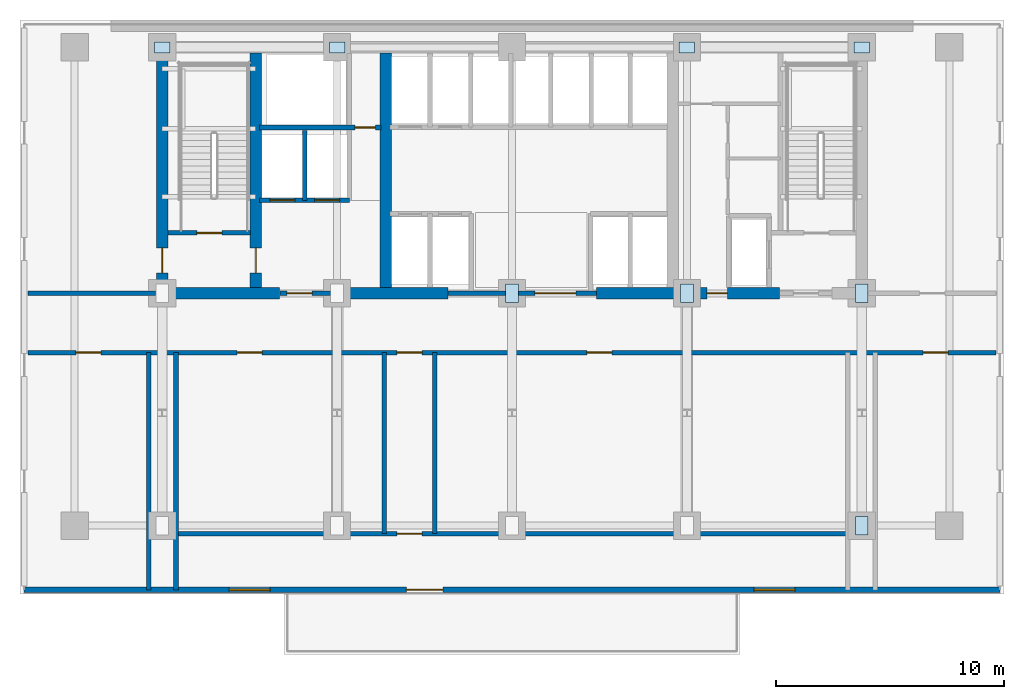
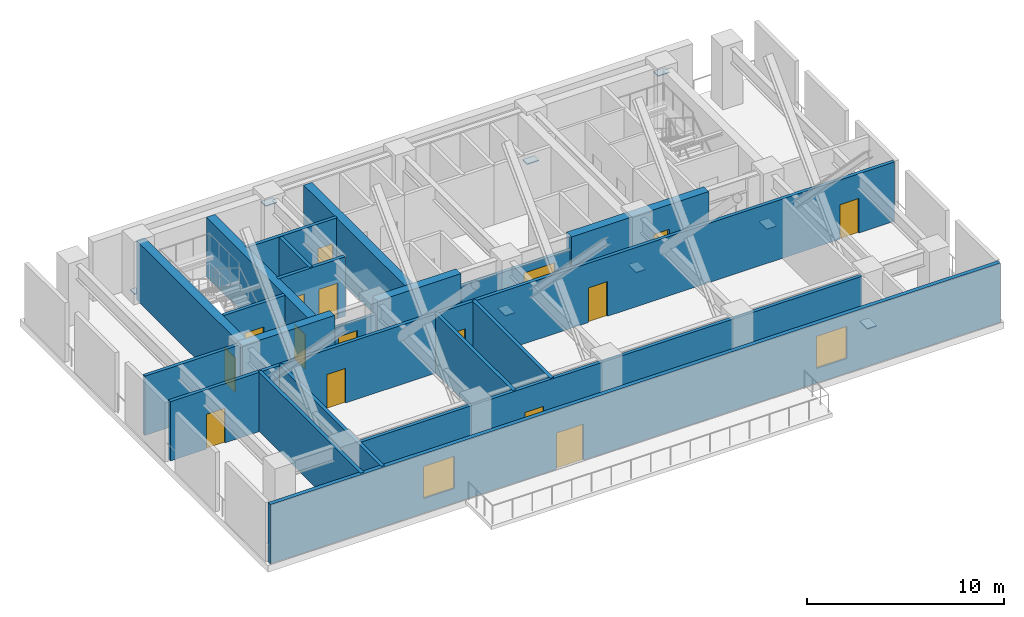
# One storey, part 2 of 8: 20 walls, 16 doors, 8 plates, 2 windows, 18 openings.
"""IFC4 building model written with IfcOpenShell, lengths in metres."""

from ifc_helpers import new_model, si_unit, direction, frame, frame_2d, origin, origin_2d, place, context, subcontext, project, spatial, rectangle, extrude, material, layer, layer_set, type_object, element, fill, save


model = new_model("IFC4")

# Units and contexts
model_context = context("Model", 3, precision=1e-05, world=origin(), true_north=direction((0.0, 1.0)))
body_context = subcontext(model_context, "Body", "Model", "MODEL_VIEW")
ifc_project = project(units=[si_unit("LENGTHUNIT", "METRE"), si_unit("AREAUNIT", "SQUARE_METRE"), si_unit("VOLUMEUNIT", "CUBIC_METRE"), si_unit("PLANEANGLEUNIT", "RADIAN"), si_unit("MASSUNIT", "GRAM", prefix="KILO")], contexts=[model_context])

# Site, building, storey
site_placement = place(None, origin())
site = spatial("IfcSite", under=ifc_project, at=site_placement, CompositionType="ELEMENT")
building_placement = place(site_placement, origin())
building = spatial("IfcBuilding", under=site, at=building_placement, Name="Yelkora Congress Tower", CompositionType="ELEMENT")
storey_placement = place(building_placement, frame((0.0, 0.0, 78.0)))
storey = spatial("IfcBuildingStorey", under=building, at=storey_placement, Name="L20", CompositionType="ELEMENT", Elevation=78.0)

# Plates
ifc_material_1 = material(Name="Steel S355J2", Category="steel")
ifc_layer_1 = layer(ifc_material_1, 0.050048828125)
ifc_layer_set_1 = layer_set([ifc_layer_1], Name="Steel S355J2")
plate_type_1 = type_object("IfcPlateType", Name="PLT-GUSSET-680x480", PredefinedType="USERDEFINED", material=ifc_layer_set_1)
for number, where, z_axis, x_axis, name in (
    (1, (23.0400390625, 46.199951171875, 0.3251953125), (0.0, 0.0, 1.0), (1.0, 0.0, 0.0), "N1 Core Strut Foot Gusset W"),
    (2, (30.719970703125, 46.199951171875, 3.10498046875), (0.0, 0.0, 1.0), (1.0, 0.0, 0.0), "N1 Core Strut Top Gusset W"),
    (3, (46.080078125, 46.199951171875, 0.3251953125), (0.0, 0.0, 1.0), (1.0, 0.0, 0.0), "N1 Core Strut Foot Gusset E"),
    (4, (53.760009765625, 46.199951171875, 3.10498046875), (0.0, 0.0, 1.0), (1.0, 0.0, 0.0), "N1 Core Strut Top Gusset E"),
):
    element("IfcPlate", number, at=place(storey_placement, frame(where, z_axis=z_axis, x_axis=x_axis)), inside=storey, type_object=plate_type_1, Name=name, ObjectType="GUSSET_PLATE", PredefinedType="USERDEFINED", context=body_context, shape_type="SweptSolid", body=[
        extrude(rectangle(XDim=0.679931640625, YDim=0.47998046875, at=origin_2d()), origin(), (0.0, 0.0, 1.0), 0.050048828125),
    ])
ifc_material_2 = material(Name="Steel S460M", Category="steel")
ifc_layer_2 = layer(ifc_material_2, 0.06005859375)
ifc_layer_set_2 = layer_set([ifc_layer_2], Name="Steel S460M")
plate_type_2 = type_object("IfcPlateType", Name="PLT-GUSSET-800x560", PredefinedType="USERDEFINED", material=ifc_layer_set_2)
for number, where, z_axis, x_axis, name in (
    (5, (38.39990234375, 35.39990234375, 0.219970703125), (0.0, 0.0, 1.0), (0.0, 1.0, 0.0), "N1 Outrigger End Gusset Plate 3CB"),
    (6, (46.080078125, 35.39990234375, 0.219970703125), (0.0, 0.0, 1.0), (0.0, 1.0, 0.0), "N1 Outrigger End Gusset Plate 4CB"),
    (7, (53.760009765625, 35.39990234375, 0.219970703125), (0.0, 0.0, 1.0), (0.0, 1.0, 0.0), "N1 Outrigger End Gusset Plate 5CB"),
    (8, (53.760009765625, 25.199951171875, 0.219970703125), (0.0, 0.0, 1.0), (0.0, 1.0, 0.0), "N1 Outrigger End Gusset Plate 5SB"),
):
    element("IfcPlate", number, at=place(storey_placement, frame(where, z_axis=z_axis, x_axis=x_axis)), inside=storey, type_object=plate_type_2, Name=name, ObjectType="GUSSET_PLATE", PredefinedType="USERDEFINED", context=body_context, shape_type="SweptSolid", body=[
        extrude(rectangle(XDim=0.800048828125, YDim=0.56005859375, at=origin_2d()), origin(), (0.0, 0.0, 1.0), 0.06005859375),
    ])

# Walls
ifc_material_3 = material(Name="Concrete C60/75", Category="concrete")
ifc_layer_3 = layer(ifc_material_3, 0.5)
ifc_layer_set_3 = layer_set([ifc_layer_3], Name="Concrete C60/75")
wall_type_1 = type_object("IfcWallType", Name="WALL-CORE-INT-500", PredefinedType="SHEAR", material=ifc_layer_set_3)
wall_1_placement = place(storey_placement, frame((22.7900390625, 35.39990234375, 0.0), z_axis=(0.0, 0.0, 1.0), x_axis=(1.0, 0.0, 0.0)))
element("IfcWall", 9, at=wall_1_placement, inside=storey, type_object=wall_type_1, Name="L20 Rear Core South-West Shear Wall", PredefinedType="SHEAR", context=body_context, shape_type="SweptSolid", body=[
    extrude(rectangle(XDim=5.409912109375, YDim=0.5, at=frame_2d((2.705078125, 0.0))), origin(), (0.0, 0.0, 1.0), 3.679931640625),
])
wall_2_placement = place(storey_placement, frame((30.719970703125, 35.39990234375, 0.0), z_axis=(0.0, 0.0, 1.0), x_axis=(1.0, 0.0, 0.0)))
element("IfcWall", 10, at=wall_2_placement, inside=storey, type_object=wall_type_1, Name="L20 Rear Core South-Center Shear Pier", PredefinedType="SHEAR", context=body_context, shape_type="SweptSolid", body=[
    extrude(rectangle(XDim=4.880126953125, YDim=0.5, at=frame_2d((2.43994140625, 0.0))), origin(), (0.0, 0.0, 1.0), 3.679931640625),
])

# Wall, opening, door
wall_3_placement = place(storey_placement, frame((42.10009765625, 35.39990234375, 0.0), z_axis=(0.0, 0.0, 1.0), x_axis=(1.0, 0.0, 0.0)))
wall_3 = element("IfcWall", 11, at=wall_3_placement, inside=storey, type_object=wall_type_1, Name="L20 Rear Core South-East Shear Wall A", PredefinedType="SHEAR", context=body_context, shape_type="SweptSolid", body=[
    extrude(rectangle(XDim=8.0498046875, YDim=0.5, at=frame_2d((4.02490234375, 0.0))), origin(), (0.0, 0.0, 1.0), 3.679931640625),
])
opening_1_placement = place(wall_3_placement, frame((4.85009765625, 0.0, 0.0)))
opening_1 = element("IfcOpeningElement", 12, at=opening_1_placement, cuts=wall_3, Name="Opening DR-090F6", PredefinedType="OPENING", context=body_context, shape_type="SweptSolid", body=[
    extrude(rectangle(XDim=0.89990234375, YDim=2.14990234375, at=frame_2d((0.449951171875, 1.074951171875))), frame((0.0, 0.260009765625, 0.0), z_axis=(0.0, -1.0, 0.0), x_axis=(1.0, 0.0, 0.0)), (0.0, 0.0, 1.0), 0.52001953125),
])
ifc_material_4 = material(Name="Painted steel riser fire door leaf", Category="steel")
door_type_1 = type_object("IfcDoorType", Name="DOOR-FD60-900", OperationType="NOTDEFINED", PredefinedType="DOOR", material=ifc_material_4)
door_1_placement = place(opening_1_placement, origin())
door_1 = element("IfcDoor", 13, at=door_1_placement, inside=storey, type_object=door_type_1, Name="L20 Core Washroom Lobby Door", OperationType="SINGLE_SWING_RIGHT", OverallHeight=2.14990234375, OverallWidth=0.89990234375, PredefinedType="DOOR", context=body_context, shape_type="SweptSolid", body=[
    extrude(rectangle(XDim=0.89990234375, YDim=2.14990234375, at=frame_2d((0.449951171875, 1.074951171875))), frame((0.0, 0.02490234375, 0.0), z_axis=(0.0, -1.0, 0.0), x_axis=(1.0, 0.0, 0.0)), (0.0, 0.0, 1.0), 0.050048828125),
])
fill(opening_1, door_1)

wall_4_placement = place(storey_placement, frame((23.0400390625, 35.64990234375, 0.0), z_axis=(0.0, 0.0, 1.0), x_axis=(0.0, 1.0, 0.0)))
wall_4 = element("IfcWall", 14, at=wall_4_placement, inside=storey, type_object=wall_type_1, Name="L20 Rear Core Cross Shear Wall W", PredefinedType="SHEAR", context=body_context, shape_type="SweptSolid", body=[
    extrude(rectangle(XDim=10.300048828125, YDim=0.5, at=frame_2d((5.14990234375, 0.0))), origin(), (0.0, 0.0, 1.0), 3.679931640625),
])
opening_2_placement = place(wall_4_placement, frame((0.64990234375, 0.0, 0.0)))
opening_2 = element("IfcOpeningElement", 15, at=opening_2_placement, cuts=wall_4, Name="Opening DR-110F9", PredefinedType="OPENING", context=body_context, shape_type="SweptSolid", body=[
    extrude(rectangle(XDim=1.10009765625, YDim=2.14990234375, at=frame_2d((0.550048828125, 1.074951171875))), frame((0.0, 0.260009765625, 0.0), z_axis=(0.0, -1.0, 0.0), x_axis=(1.0, 0.0, 0.0)), (0.0, 0.0, 1.0), 0.52001953125),
])
ifc_material_5 = material(Name="Galvanised steel fire door leaf", Category="steel")
door_type_2 = type_object("IfcDoorType", Name="DOOR-FD90-1100", OperationType="NOTDEFINED", PredefinedType="DOOR", material=ifc_material_5)
door_2_placement = place(opening_2_placement, origin())
door_2 = element("IfcDoor", 16, at=door_2_placement, inside=storey, type_object=door_type_2, Name="L20 Area of Refuge Direct Stair-Lobby Door", OperationType="SINGLE_SWING_LEFT", OverallHeight=2.14990234375, OverallWidth=1.10009765625, PredefinedType="DOOR", context=body_context, shape_type="SweptSolid", body=[
    extrude(rectangle(XDim=1.10009765625, YDim=2.14990234375, at=frame_2d((0.550048828125, 1.074951171875))), frame((0.0, 0.02490234375, 0.0), z_axis=(0.0, -1.0, 0.0), x_axis=(1.0, 0.0, 0.0)), (0.0, 0.0, 1.0), 0.050048828125),
])
fill(opening_2, door_2)

wall_5_placement = place(storey_placement, frame((27.14990234375, 35.64990234375, 0.0), z_axis=(0.0, 0.0, 1.0), x_axis=(0.0, 1.0, 0.0)))
wall_5 = element("IfcWall", 17, at=wall_5_placement, inside=storey, type_object=wall_type_1, Name="L20 Rear Core Cross Shear Wall C1", PredefinedType="SHEAR", context=body_context, shape_type="SweptSolid", body=[
    extrude(rectangle(XDim=10.300048828125, YDim=0.5, at=frame_2d((5.14990234375, 0.0))), origin(), (0.0, 0.0, 1.0), 3.679931640625),
])
opening_3_placement = place(wall_5_placement, frame((0.64990234375, 0.0, 0.0)))
opening_3 = element("IfcOpeningElement", 18, at=opening_3_placement, cuts=wall_5, Name="Opening DR-110F9", PredefinedType="OPENING", context=body_context, shape_type="SweptSolid", body=[
    extrude(rectangle(XDim=1.10009765625, YDim=2.14990234375, at=frame_2d((0.550048828125, 1.074951171875))), frame((0.0, 0.260009765625, 0.0), z_axis=(0.0, -1.0, 0.0), x_axis=(1.0, 0.0, 0.0)), (0.0, 0.0, 1.0), 0.52001953125),
])
door_3_placement = place(opening_3_placement, origin())
door_3 = element("IfcDoor", 19, at=door_3_placement, inside=storey, type_object=door_type_2, Name="L20 Firefighting Stair Transfer Door", OperationType="SINGLE_SWING_LEFT", OverallHeight=2.14990234375, OverallWidth=1.10009765625, PredefinedType="DOOR", context=body_context, shape_type="SweptSolid", body=[
    extrude(rectangle(XDim=1.10009765625, YDim=2.14990234375, at=frame_2d((0.550048828125, 1.074951171875))), frame((0.0, 0.02490234375, 0.0), z_axis=(0.0, -1.0, 0.0), x_axis=(1.0, 0.0, 0.0)), (0.0, 0.0, 1.0), 0.050048828125),
])
fill(opening_3, door_3)

# Wall
wall_6_placement = place(storey_placement, frame((32.85009765625, 35.64990234375, 0.0), z_axis=(0.0, 0.0, 1.0), x_axis=(0.0, 1.0, 0.0)))
element("IfcWall", 20, at=wall_6_placement, inside=storey, type_object=wall_type_1, Name="L20 Rear Core Cross Shear Wall C2", PredefinedType="SHEAR", context=body_context, shape_type="SweptSolid", body=[
    extrude(rectangle(XDim=10.300048828125, YDim=0.5, at=frame_2d((5.14990234375, 0.0))), origin(), (0.0, 0.0, 1.0), 3.679931640625),
])

# Wall, openings, door, windows
ifc_material_6 = material(Name="Concrete C40/50", Category="concrete")
ifc_layer_4 = layer(ifc_material_6, 0.239990234375)
ifc_layer_set_4 = layer_set([ifc_layer_4], Name="Concrete C40/50")
wall_type_2 = type_object("IfcWallType", Name="WALL-EXT-LIMESTONE-240", PredefinedType="SOLIDWALL", material=ifc_layer_set_4)
wall_7_placement = place(storey_placement, frame((16.97998046875, 22.3798828125, 0.0), z_axis=(0.0, 0.0, 1.0), x_axis=(1.0, 0.0, 0.0)))
wall_7 = element("IfcWall", 21, at=wall_7_placement, inside=storey, type_object=wall_type_2, Name="L20 Sky Garden Portal Wall", PredefinedType="SOLIDWALL", context=body_context, shape_type="SweptSolid", body=[
    extrude(rectangle(XDim=42.840087890625, YDim=0.239990234375, at=frame_2d((21.419921875, 0.0))), origin(), (0.0, 0.0, 1.0), 3.679931640625),
])
opening_4_placement = place(wall_7_placement, frame((16.780029296875, 0.0, 0.0)))
opening_4 = element("IfcOpeningElement", 22, at=opening_4_placement, cuts=wall_7, Name="Opening DE-160T", PredefinedType="OPENING", context=body_context, shape_type="SweptSolid", body=[
    extrude(rectangle(XDim=1.60009765625, YDim=2.25, at=frame_2d((0.800048828125, 1.125))), frame((0.0, 0.1298828125, 0.0), z_axis=(0.0, -1.0, 0.0), x_axis=(1.0, 0.0, 0.0)), (0.0, 0.0, 1.0), 0.260009765625),
])
opening_5_placement = place(wall_7_placement, frame((9.0, 0.0, 0.89990234375)))
opening_5 = element("IfcOpeningElement", 23, at=opening_5_placement, cuts=wall_7, Name="Opening WN-18", PredefinedType="OPENING", context=body_context, shape_type="SweptSolid", body=[
    extrude(rectangle(XDim=1.800048828125, YDim=2.0, at=frame_2d((0.89990234375, 1.0))), frame((0.0, 0.1298828125, 0.0), z_axis=(0.0, -1.0, 0.0), x_axis=(1.0, 0.0, 0.0)), (0.0, 0.0, 1.0), 0.260009765625),
])
opening_6_placement = place(wall_7_placement, frame((32.0400390625, 0.0, 0.89990234375)))
opening_6 = element("IfcOpeningElement", 24, at=opening_6_placement, cuts=wall_7, Name="Opening WN-18", PredefinedType="OPENING", context=body_context, shape_type="SweptSolid", body=[
    extrude(rectangle(XDim=1.800048828125, YDim=2.0, at=frame_2d((0.89990234375, 1.0))), frame((0.0, 0.1298828125, 0.0), z_axis=(0.0, -1.0, 0.0), x_axis=(1.0, 0.0, 0.0)), (0.0, 0.0, 1.0), 0.260009765625),
])
ifc_material_7 = material(Name="Thermally broken aluminium glazed terrace door", Category="aluminium")
door_type_3 = type_object("IfcDoorType", Name="DOOR-EXT-TERRACE-1600", OperationType="DOUBLE_DOOR_SINGLE_SWING", PredefinedType="DOOR", material=ifc_material_7)
door_4_placement = place(opening_4_placement, frame((1.60009765625, 0.0, 0.0), z_axis=(0.0, 0.0, 1.0), x_axis=(-1.0, 0.0, 0.0)))
door_4 = element("IfcDoor", 25, at=door_4_placement, inside=storey, type_object=door_type_3, Name="L20 Sky Garden Terrace Access Door", OperationType="SINGLE_SWING_LEFT", OverallHeight=2.25, OverallWidth=1.60009765625, PredefinedType="DOOR", context=body_context, shape_type="SweptSolid", body=[
    extrude(rectangle(XDim=1.60009765625, YDim=2.25, at=frame_2d((0.800048828125, 1.125))), frame((0.0, 0.02490234375, 0.0), z_axis=(0.0, -1.0, 0.0), x_axis=(1.0, 0.0, 0.0)), (0.0, 0.0, 1.0), 0.050048828125),
])
fill(opening_4, door_4)
ifc_material_8 = material(Name="Thermally broken aluminium low-E window", Category="aluminium")
window_type = type_object("IfcWindowType", Name="WIN-POD-1800x2000", PartitioningType="SINGLE_PANEL", PredefinedType="WINDOW", material=ifc_material_8)
window_1_placement = place(opening_5_placement, origin())
window_1 = element("IfcWindow", 26, at=window_1_placement, inside=storey, type_object=window_type, Name="L20 Plant Acoustic Louvred Window 1", OverallHeight=2.0, OverallWidth=1.800048828125, PartitioningType="SINGLE_PANEL", PredefinedType="WINDOW", context=body_context, shape_type="SweptSolid", body=[
    extrude(rectangle(XDim=1.800048828125, YDim=2.0, at=frame_2d((0.89990234375, 1.0))), frame((0.0, 0.030029296875, 0.0), z_axis=(0.0, -1.0, 0.0), x_axis=(1.0, 0.0, 0.0)), (0.0, 0.0, 1.0), 0.06005859375),
])
fill(opening_5, window_1)
window_2_placement = place(opening_6_placement, origin())
window_2 = element("IfcWindow", 27, at=window_2_placement, inside=storey, type_object=window_type, Name="L20 Plant Acoustic Louvred Window 2", OverallHeight=2.0, OverallWidth=1.800048828125, PartitioningType="SINGLE_PANEL", PredefinedType="WINDOW", context=body_context, shape_type="SweptSolid", body=[
    extrude(rectangle(XDim=1.800048828125, YDim=2.0, at=frame_2d((0.89990234375, 1.0))), frame((0.0, 0.030029296875, 0.0), z_axis=(0.0, -1.0, 0.0), x_axis=(1.0, 0.0, 0.0)), (0.0, 0.0, 1.0), 0.06005859375),
])
fill(opening_6, window_2)

# Wall, opening, door
ifc_material_9 = material(Name="Autoclaved aerated concrete blockwork", Category="masonry")
ifc_layer_5 = layer(ifc_material_9, 0.199951171875)
ifc_layer_set_5 = layer_set([ifc_layer_5], Name="Autoclaved aerated concrete blockwork")
wall_type_3 = type_object("IfcWallType", Name="WALL-INT-200-R120", PredefinedType="PARTITIONING", material=ifc_layer_set_5)
wall_8_placement = place(storey_placement, frame((23.300048828125, 38.050048828125, 0.0), z_axis=(0.0, 0.0, 1.0), x_axis=(1.0, 0.0, 0.0)))
wall_8 = element("IfcWall", 28, at=wall_8_placement, inside=storey, type_object=wall_type_3, Name="L20 Stair ST-01 Enclosure Wall", PredefinedType="PARTITIONING", context=body_context, shape_type="SweptSolid", body=[
    extrude(rectangle(XDim=3.619873046875, YDim=0.199951171875, at=frame_2d((1.81005859375, 0.0))), origin(), (0.0, 0.0, 1.0), 3.679931640625),
])
opening_7_placement = place(wall_8_placement, frame((1.260009765625, 0.0, 0.0)))
opening_7 = element("IfcOpeningElement", 29, at=opening_7_placement, cuts=wall_8, Name="Opening DR-110F9", PredefinedType="OPENING", context=body_context, shape_type="SweptSolid", body=[
    extrude(rectangle(XDim=1.10009765625, YDim=2.14990234375, at=frame_2d((0.550048828125, 1.074951171875))), frame((0.0, 0.10986328125, 0.0), z_axis=(0.0, -1.0, 0.0), x_axis=(1.0, 0.0, 0.0)), (0.0, 0.0, 1.0), 0.219970703125),
])
door_5_placement = place(opening_7_placement, origin())
door_5 = element("IfcDoor", 30, at=door_5_placement, inside=storey, type_object=door_type_2, Name="L20 Stair ST-01 Entry Door", OperationType="SINGLE_SWING_LEFT", OverallHeight=2.14990234375, OverallWidth=1.10009765625, PredefinedType="DOOR", context=body_context, shape_type="SweptSolid", body=[
    extrude(rectangle(XDim=1.10009765625, YDim=2.14990234375, at=frame_2d((0.550048828125, 1.074951171875))), frame((0.0, 0.02490234375, 0.0), z_axis=(0.0, -1.0, 0.0), x_axis=(1.0, 0.0, 0.0)), (0.0, 0.0, 1.0), 0.050048828125),
])
fill(opening_7, door_5)

wall_9_placement = place(storey_placement, frame((28.219970703125, 35.39990234375, 0.0), z_axis=(0.0, 0.0, 1.0), x_axis=(1.0, 0.0, 0.0)))
wall_9 = element("IfcWall", 31, at=wall_9_placement, inside=storey, type_object=wall_type_3, Name="L20 Firefighting Lobby South Wall", PredefinedType="PARTITIONING", context=body_context, shape_type="SweptSolid", body=[
    extrude(rectangle(XDim=2.5, YDim=0.199951171875, at=frame_2d((1.25, 0.0))), origin(), (0.0, 0.0, 1.0), 2.764892578125),
])
opening_8_placement = place(wall_9_placement, frame((0.300048828125, 0.0, 0.0)))
opening_8 = element("IfcOpeningElement", 32, at=opening_8_placement, cuts=wall_9, Name="Opening DR-110F9", PredefinedType="OPENING", context=body_context, shape_type="SweptSolid", body=[
    extrude(rectangle(XDim=1.10009765625, YDim=2.14990234375, at=frame_2d((0.550048828125, 1.074951171875))), frame((0.0, 0.10986328125, 0.0), z_axis=(0.0, -1.0, 0.0), x_axis=(1.0, 0.0, 0.0)), (0.0, 0.0, 1.0), 0.219970703125),
])
door_6_placement = place(opening_8_placement, origin())
door_6 = element("IfcDoor", 33, at=door_6_placement, inside=storey, type_object=door_type_2, Name="L20 Firefighting Lobby Corridor Door", OperationType="SINGLE_SWING_RIGHT", OverallHeight=2.14990234375, OverallWidth=1.10009765625, PredefinedType="DOOR", context=body_context, shape_type="SweptSolid", body=[
    extrude(rectangle(XDim=1.10009765625, YDim=2.14990234375, at=frame_2d((0.550048828125, 1.074951171875))), frame((0.0, 0.02490234375, 0.0), z_axis=(0.0, -1.0, 0.0), x_axis=(1.0, 0.0, 0.0)), (0.0, 0.0, 1.0), 0.050048828125),
])
fill(opening_8, door_6)

# Wall, openings, doors
wall_10_placement = place(storey_placement, frame((27.320068359375, 39.47998046875, 0.0), z_axis=(0.0, 0.0, 1.0), x_axis=(1.0, 0.0, 0.0)))
wall_10 = element("IfcWall", 34, at=wall_10_placement, inside=storey, type_object=wall_type_3, Name="L20 Firefighting Lift Front Wall", PredefinedType="PARTITIONING", context=body_context, shape_type="SweptSolid", body=[
    extrude(rectangle(XDim=3.93994140625, YDim=0.199951171875, at=frame_2d((1.969970703125, 0.0))), origin(), (0.0, 0.0, 1.0), 3.679931640625),
])
opening_9_placement = place(wall_10_placement, frame((0.449951171875, 0.0, 0.0)))
opening_9 = element("IfcOpeningElement", 35, at=opening_9_placement, cuts=wall_10, Name="Opening LD-FF11", PredefinedType="OPENING", context=body_context, shape_type="SweptSolid", body=[
    extrude(rectangle(XDim=1.10009765625, YDim=2.199951171875, at=frame_2d((0.550048828125, 1.10009765625))), frame((0.0, 0.10986328125, 0.0), z_axis=(0.0, -1.0, 0.0), x_axis=(1.0, 0.0, 0.0)), (0.0, 0.0, 1.0), 0.219970703125),
])
opening_10_placement = place(wall_10_placement, frame((2.409912109375, 0.0, 0.0)))
opening_10 = element("IfcOpeningElement", 36, at=opening_10_placement, cuts=wall_10, Name="Opening LD-FF11", PredefinedType="OPENING", context=body_context, shape_type="SweptSolid", body=[
    extrude(rectangle(XDim=1.10009765625, YDim=2.199951171875, at=frame_2d((0.550048828125, 1.10009765625))), frame((0.0, 0.10986328125, 0.0), z_axis=(0.0, -1.0, 0.0), x_axis=(1.0, 0.0, 0.0)), (0.0, 0.0, 1.0), 0.219970703125),
])
ifc_material_10 = material(Name="Brushed stainless steel 316L landing door", Category="steel")
door_type_4 = type_object("IfcDoorType", Name="DOOR-LIFT-FF-1100", OperationType="DOUBLE_DOOR_SLIDING", PredefinedType="DOOR", material=ifc_material_10)
door_7_placement = place(opening_9_placement, origin())
door_7 = element("IfcDoor", 37, at=door_7_placement, inside=storey, type_object=door_type_4, Name="Lift Landing Door LF-FF1 L20", OperationType="DOUBLE_DOOR_SLIDING", OverallHeight=2.199951171875, OverallWidth=1.10009765625, PredefinedType="DOOR", context=body_context, shape_type="SweptSolid", body=[
    extrude(rectangle(XDim=1.10009765625, YDim=2.199951171875, at=frame_2d((0.550048828125, 1.10009765625))), frame((0.0, 0.02490234375, 0.0), z_axis=(0.0, -1.0, 0.0), x_axis=(1.0, 0.0, 0.0)), (0.0, 0.0, 1.0), 0.050048828125),
])
fill(opening_9, door_7)
door_8_placement = place(opening_10_placement, origin())
door_8 = element("IfcDoor", 38, at=door_8_placement, inside=storey, type_object=door_type_4, Name="Lift Landing Door LF-FF2 L20", OperationType="DOUBLE_DOOR_SLIDING", OverallHeight=2.199951171875, OverallWidth=1.10009765625, PredefinedType="DOOR", context=body_context, shape_type="SweptSolid", body=[
    extrude(rectangle(XDim=1.10009765625, YDim=2.199951171875, at=frame_2d((0.550048828125, 1.10009765625))), frame((0.0, 0.02490234375, 0.0), z_axis=(0.0, -1.0, 0.0), x_axis=(1.0, 0.0, 0.0)), (0.0, 0.0, 1.0), 0.050048828125),
])
fill(opening_10, door_8)

# Wall
wall_11_placement = place(storey_placement, frame((29.300048828125, 39.47998046875, 0.0), z_axis=(0.0, 0.0, 1.0), x_axis=(0.0, 1.0, 0.0)))
element("IfcWall", 39, at=wall_11_placement, inside=storey, type_object=wall_type_3, Name="L20 Partition Wall 4", PredefinedType="PARTITIONING", context=body_context, shape_type="SweptSolid", body=[
    extrude(rectangle(XDim=3.070068359375, YDim=0.199951171875, at=frame_2d((1.53515625, 0.0))), origin(), (0.0, 0.0, 1.0), 3.679931640625),
])

# Wall, opening, door
wall_12_placement = place(storey_placement, frame((27.320068359375, 42.679931640625, 0.0), z_axis=(0.0, 0.0, 1.0), x_axis=(1.0, 0.0, 0.0)))
wall_12 = element("IfcWall", 40, at=wall_12_placement, inside=storey, type_object=wall_type_3, Name="L20 Smoke Riser South Wall", PredefinedType="PARTITIONING", context=body_context, shape_type="SweptSolid", body=[
    extrude(rectangle(XDim=5.329833984375, YDim=0.199951171875, at=frame_2d((2.6650390625, 0.0))), origin(), (0.0, 0.0, 1.0), 3.679931640625),
])
opening_11_placement = place(wall_12_placement, frame((4.179931640625, 0.0, 0.0)))
opening_11 = element("IfcOpeningElement", 41, at=opening_11_placement, cuts=wall_12, Name="Opening DR-090F6", PredefinedType="OPENING", context=body_context, shape_type="SweptSolid", body=[
    extrude(rectangle(XDim=0.89990234375, YDim=2.14990234375, at=frame_2d((0.449951171875, 1.074951171875))), frame((0.0, 0.10986328125, 0.0), z_axis=(0.0, -1.0, 0.0), x_axis=(1.0, 0.0, 0.0)), (0.0, 0.0, 1.0), 0.219970703125),
])
door_9_placement = place(opening_11_placement, origin())
door_9 = element("IfcDoor", 42, at=door_9_placement, inside=storey, type_object=door_type_1, Name="L20 Riser Access Door", OperationType="SINGLE_SWING_LEFT", OverallHeight=2.14990234375, OverallWidth=0.89990234375, PredefinedType="DOOR", context=body_context, shape_type="SweptSolid", body=[
    extrude(rectangle(XDim=0.89990234375, YDim=2.14990234375, at=frame_2d((0.449951171875, 1.074951171875))), frame((0.0, 0.02490234375, 0.0), z_axis=(0.0, -1.0, 0.0), x_axis=(1.0, 0.0, 0.0)), (0.0, 0.0, 1.0), 0.050048828125),
])
fill(opening_11, door_9)

wall_13_placement = place(storey_placement, frame((35.60009765625, 35.39990234375, 0.0), z_axis=(0.0, 0.0, 1.0), x_axis=(1.0, 0.0, 0.0)))
wall_13 = element("IfcWall", 43, at=wall_13_placement, inside=storey, type_object=wall_type_3, Name="L20 Main Lift Lobby South Portal Wall", PredefinedType="PARTITIONING", context=body_context, shape_type="SweptSolid", body=[
    extrude(rectangle(XDim=6.5, YDim=0.199951171875, at=frame_2d((3.25, 0.0))), origin(), (0.0, 0.0, 1.0), 2.764892578125),
])
opening_12_placement = place(wall_13_placement, frame((3.800048828125, 0.0, 0.0)))
opening_12 = element("IfcOpeningElement", 44, at=opening_12_placement, cuts=wall_13, Name="Opening DR-180D", PredefinedType="OPENING", context=body_context, shape_type="SweptSolid", body=[
    extrude(rectangle(XDim=1.800048828125, YDim=2.300048828125, at=frame_2d((0.89990234375, 1.14990234375))), frame((0.0, 0.10986328125, 0.0), z_axis=(0.0, -1.0, 0.0), x_axis=(1.0, 0.0, 0.0)), (0.0, 0.0, 1.0), 0.219970703125),
])
ifc_material_11 = material(Name="Acoustic double congress hall doors", Category="wood")
door_type_5 = type_object("IfcDoorType", Name="DOOR-DBL-1800", OperationType="DOUBLE_DOOR_SINGLE_SWING", PredefinedType="DOOR", material=ifc_material_11)
door_10_placement = place(opening_12_placement, origin())
door_10 = element("IfcDoor", 45, at=door_10_placement, inside=storey, type_object=door_type_5, Name="L20 Main Lift Lobby Portal Door", OperationType="DOUBLE_DOOR_SINGLE_SWING", OverallHeight=2.300048828125, OverallWidth=1.800048828125, PredefinedType="DOOR", context=body_context, shape_type="SweptSolid", body=[
    extrude(rectangle(XDim=1.800048828125, YDim=2.300048828125, at=frame_2d((0.89990234375, 1.14990234375))), frame((0.0, 0.02490234375, 0.0), z_axis=(0.0, -1.0, 0.0), x_axis=(1.0, 0.0, 0.0)), (0.0, 0.0, 1.0), 0.050048828125),
])
fill(opening_12, door_10)

# Walls
wall_14_placement = place(storey_placement, frame((17.14990234375, 35.39990234375, 0.0), z_axis=(0.0, 0.0, 1.0), x_axis=(1.0, 0.0, 0.0)))
element("IfcWall", 46, at=wall_14_placement, inside=storey, type_object=wall_type_3, Name="L20 Partition Wall 31", PredefinedType="PARTITIONING", context=body_context, shape_type="SweptSolid", body=[
    extrude(rectangle(XDim=5.60009765625, YDim=0.199951171875, at=frame_2d((2.800048828125, 0.0))), origin(), (0.0, 0.0, 1.0), 3.679931640625),
])
for number, where, z_axis, x_axis, name in (
    (47, (22.449951171875, 22.3798828125, 0.0), (0.0, 0.0, 1.0), (0.0, 1.0, 0.0), "L20 Partition Wall 33"),
    (48, (23.64990234375, 22.3798828125, 0.0), (0.0, 0.0, 1.0), (0.0, 1.0, 0.0), "L20 Partition Wall 34"),
):
    element("IfcWall", number, at=place(storey_placement, frame(where, z_axis=z_axis, x_axis=x_axis)), inside=storey, type_object=wall_type_3, Name=name, PredefinedType="PARTITIONING", context=body_context, shape_type="SweptSolid", body=[
        extrude(rectangle(XDim=10.420166015625, YDim=0.199951171875, at=frame_2d((5.2099609375, 0.0))), origin(), (0.0, 0.0, 1.0), 3.679931640625),
    ])
for number, where, z_axis, x_axis, name in (
    (49, (32.800048828125, 24.85009765625, 0.0), (0.0, 0.0, 1.0), (0.0, 1.0, 0.0), "L20 Partition Wall 37"),
    (50, (35.0, 24.85009765625, 0.0), (0.0, 0.0, 1.0), (0.0, 1.0, 0.0), "L20 Partition Wall 38"),
):
    element("IfcWall", number, at=place(storey_placement, frame(where, z_axis=z_axis, x_axis=x_axis)), inside=storey, type_object=wall_type_3, Name=name, PredefinedType="PARTITIONING", context=body_context, shape_type="SweptSolid", body=[
        extrude(rectangle(XDim=7.949951171875, YDim=0.199951171875, at=frame_2d((3.97509765625, 0.0))), origin(), (0.0, 0.0, 1.0), 3.679931640625),
    ])

# Wall, openings, doors
wall_15_placement = place(storey_placement, frame((17.14990234375, 32.800048828125, 0.0), z_axis=(0.0, 0.0, 1.0), x_axis=(1.0, 0.0, 0.0)))
wall_15 = element("IfcWall", 51, at=wall_15_placement, inside=storey, type_object=wall_type_3, Name="L20 Partition Wall 40", PredefinedType="PARTITIONING", context=body_context, shape_type="SweptSolid", body=[
    extrude(rectangle(XDim=42.5, YDim=0.199951171875, at=frame_2d((21.25, 0.0))), origin(), (0.0, 0.0, 1.0), 3.679931640625),
])
opening_13_placement = place(wall_15_placement, frame((2.10009765625, 0.0, 0.0)))
opening_13 = element("IfcOpeningElement", 52, at=opening_13_placement, cuts=wall_15, Name="Opening DR-110F9", PredefinedType="OPENING", context=body_context, shape_type="SweptSolid", body=[
    extrude(rectangle(XDim=1.10009765625, YDim=2.14990234375, at=frame_2d((0.550048828125, 1.074951171875))), frame((0.0, 0.10986328125, 0.0), z_axis=(0.0, -1.0, 0.0), x_axis=(1.0, 0.0, 0.0)), (0.0, 0.0, 1.0), 0.219970703125),
])
opening_14_placement = place(wall_15_placement, frame((9.179931640625, 0.0, 0.0)))
opening_14 = element("IfcOpeningElement", 53, at=opening_14_placement, cuts=wall_15, Name="Opening DR-110F9", PredefinedType="OPENING", context=body_context, shape_type="SweptSolid", body=[
    extrude(rectangle(XDim=1.10009765625, YDim=2.14990234375, at=frame_2d((0.550048828125, 1.074951171875))), frame((0.0, 0.10986328125, 0.0), z_axis=(0.0, -1.0, 0.0), x_axis=(1.0, 0.0, 0.0)), (0.0, 0.0, 1.0), 0.219970703125),
])
opening_15_placement = place(wall_15_placement, frame((16.199951171875, 0.0, 0.0)))
opening_15 = element("IfcOpeningElement", 54, at=opening_15_placement, cuts=wall_15, Name="Opening DR-110F6", PredefinedType="OPENING", context=body_context, shape_type="SweptSolid", body=[
    extrude(rectangle(XDim=1.10009765625, YDim=2.14990234375, at=frame_2d((0.550048828125, 1.074951171875))), frame((0.0, 0.10986328125, 0.0), z_axis=(0.0, -1.0, 0.0), x_axis=(1.0, 0.0, 0.0)), (0.0, 0.0, 1.0), 0.219970703125),
])
opening_16_placement = place(wall_15_placement, frame((24.5400390625, 0.0, 0.0)))
opening_16 = element("IfcOpeningElement", 55, at=opening_16_placement, cuts=wall_15, Name="Opening DR-110F9", PredefinedType="OPENING", context=body_context, shape_type="SweptSolid", body=[
    extrude(rectangle(XDim=1.10009765625, YDim=2.14990234375, at=frame_2d((0.550048828125, 1.074951171875))), frame((0.0, 0.10986328125, 0.0), z_axis=(0.0, -1.0, 0.0), x_axis=(1.0, 0.0, 0.0)), (0.0, 0.0, 1.0), 0.219970703125),
])
opening_17_placement = place(wall_15_placement, frame((39.300048828125, 0.0, 0.0)))
opening_17 = element("IfcOpeningElement", 56, at=opening_17_placement, cuts=wall_15, Name="Opening DR-110F9", PredefinedType="OPENING", context=body_context, shape_type="SweptSolid", body=[
    extrude(rectangle(XDim=1.10009765625, YDim=2.14990234375, at=frame_2d((0.550048828125, 1.074951171875))), frame((0.0, 0.10986328125, 0.0), z_axis=(0.0, -1.0, 0.0), x_axis=(1.0, 0.0, 0.0)), (0.0, 0.0, 1.0), 0.219970703125),
])
ifc_material_12 = material(Name="Fire-rated composite timber-steel leaf", Category="steel")
door_type_6 = type_object("IfcDoorType", Name="DOOR-FD60-1100", OperationType="NOTDEFINED", PredefinedType="DOOR", material=ifc_material_12)
door_11_placement = place(opening_15_placement, origin())
door_11 = element("IfcDoor", 57, at=door_11_placement, inside=storey, type_object=door_type_6, Name="L20 Interior Door 21", OperationType="SINGLE_SWING_LEFT", OverallHeight=2.14990234375, OverallWidth=1.10009765625, PredefinedType="DOOR", context=body_context, shape_type="SweptSolid", body=[
    extrude(rectangle(XDim=1.10009765625, YDim=2.14990234375, at=frame_2d((0.550048828125, 1.074951171875))), frame((0.0, 0.02490234375, 0.0), z_axis=(0.0, -1.0, 0.0), x_axis=(1.0, 0.0, 0.0)), (0.0, 0.0, 1.0), 0.050048828125),
])
fill(opening_15, door_11)
door_12_placement = place(opening_13_placement, origin())
door_12 = element("IfcDoor", 58, at=door_12_placement, inside=storey, type_object=door_type_2, Name="L20 Interior Door 19", OperationType="SINGLE_SWING_LEFT", OverallHeight=2.14990234375, OverallWidth=1.10009765625, PredefinedType="DOOR", context=body_context, shape_type="SweptSolid", body=[
    extrude(rectangle(XDim=1.10009765625, YDim=2.14990234375, at=frame_2d((0.550048828125, 1.074951171875))), frame((0.0, 0.02490234375, 0.0), z_axis=(0.0, -1.0, 0.0), x_axis=(1.0, 0.0, 0.0)), (0.0, 0.0, 1.0), 0.050048828125),
])
fill(opening_13, door_12)
door_13_placement = place(opening_14_placement, origin())
door_13 = element("IfcDoor", 59, at=door_13_placement, inside=storey, type_object=door_type_2, Name="L20 Interior Door 20", OperationType="SINGLE_SWING_RIGHT", OverallHeight=2.14990234375, OverallWidth=1.10009765625, PredefinedType="DOOR", context=body_context, shape_type="SweptSolid", body=[
    extrude(rectangle(XDim=1.10009765625, YDim=2.14990234375, at=frame_2d((0.550048828125, 1.074951171875))), frame((0.0, 0.02490234375, 0.0), z_axis=(0.0, -1.0, 0.0), x_axis=(1.0, 0.0, 0.0)), (0.0, 0.0, 1.0), 0.050048828125),
])
fill(opening_14, door_13)
door_14_placement = place(opening_16_placement, origin())
door_14 = element("IfcDoor", 60, at=door_14_placement, inside=storey, type_object=door_type_2, Name="L20 Interior Door 22", OperationType="SINGLE_SWING_RIGHT", OverallHeight=2.14990234375, OverallWidth=1.10009765625, PredefinedType="DOOR", context=body_context, shape_type="SweptSolid", body=[
    extrude(rectangle(XDim=1.10009765625, YDim=2.14990234375, at=frame_2d((0.550048828125, 1.074951171875))), frame((0.0, 0.02490234375, 0.0), z_axis=(0.0, -1.0, 0.0), x_axis=(1.0, 0.0, 0.0)), (0.0, 0.0, 1.0), 0.050048828125),
])
fill(opening_16, door_14)
door_15_placement = place(opening_17_placement, origin())
door_15 = element("IfcDoor", 61, at=door_15_placement, inside=storey, type_object=door_type_2, Name="L20 Interior Door 23", OperationType="SINGLE_SWING_LEFT", OverallHeight=2.14990234375, OverallWidth=1.10009765625, PredefinedType="DOOR", context=body_context, shape_type="SweptSolid", body=[
    extrude(rectangle(XDim=1.10009765625, YDim=2.14990234375, at=frame_2d((0.550048828125, 1.074951171875))), frame((0.0, 0.02490234375, 0.0), z_axis=(0.0, -1.0, 0.0), x_axis=(1.0, 0.0, 0.0)), (0.0, 0.0, 1.0), 0.050048828125),
])
fill(opening_17, door_15)

# Wall, opening, door
ifc_material_13 = material(Name="Autoclaved high-density acoustic blockwork", Category="masonry")
ifc_layer_6 = layer(ifc_material_13, 0.199951171875)
ifc_layer_set_6 = layer_set([ifc_layer_6], Name="Autoclaved high-density acoustic blockwork")
wall_type_4 = type_object("IfcWallType", Name="WALL-INT-200-R90", PredefinedType="PARTITIONING", material=ifc_layer_set_6)
wall_16_placement = place(storey_placement, frame((23.64990234375, 24.85009765625, 0.0), z_axis=(0.0, 0.0, 1.0), x_axis=(1.0, 0.0, 0.0)))
wall_16 = element("IfcWall", 62, at=wall_16_placement, inside=storey, type_object=wall_type_4, Name="L20 Partition Wall 39", PredefinedType="PARTITIONING", context=body_context, shape_type="SweptSolid", body=[
    extrude(rectangle(XDim=29.5, YDim=0.199951171875, at=frame_2d((14.75, 0.0))), origin(), (0.0, 0.0, 1.0), 3.679931640625),
])
opening_18_placement = place(wall_16_placement, frame((9.699951171875, 0.0, 0.0)))
opening_18 = element("IfcOpeningElement", 63, at=opening_18_placement, cuts=wall_16, Name="Opening DR-110F6", PredefinedType="OPENING", context=body_context, shape_type="SweptSolid", body=[
    extrude(rectangle(XDim=1.10009765625, YDim=2.14990234375, at=frame_2d((0.550048828125, 1.074951171875))), frame((0.0, 0.10986328125, 0.0), z_axis=(0.0, -1.0, 0.0), x_axis=(1.0, 0.0, 0.0)), (0.0, 0.0, 1.0), 0.219970703125),
])
door_16_placement = place(opening_18_placement, origin())
door_16 = element("IfcDoor", 64, at=door_16_placement, inside=storey, type_object=door_type_6, Name="L20 Sky Garden Lounge Door", OperationType="SINGLE_SWING_RIGHT", OverallHeight=2.14990234375, OverallWidth=1.10009765625, PredefinedType="DOOR", context=body_context, shape_type="SweptSolid", body=[
    extrude(rectangle(XDim=1.10009765625, YDim=2.14990234375, at=frame_2d((0.550048828125, 1.074951171875))), frame((0.0, 0.02490234375, 0.0), z_axis=(0.0, -1.0, 0.0), x_axis=(1.0, 0.0, 0.0)), (0.0, 0.0, 1.0), 0.050048828125),
])
fill(opening_18, door_16)

save(model, "model.ifc")
